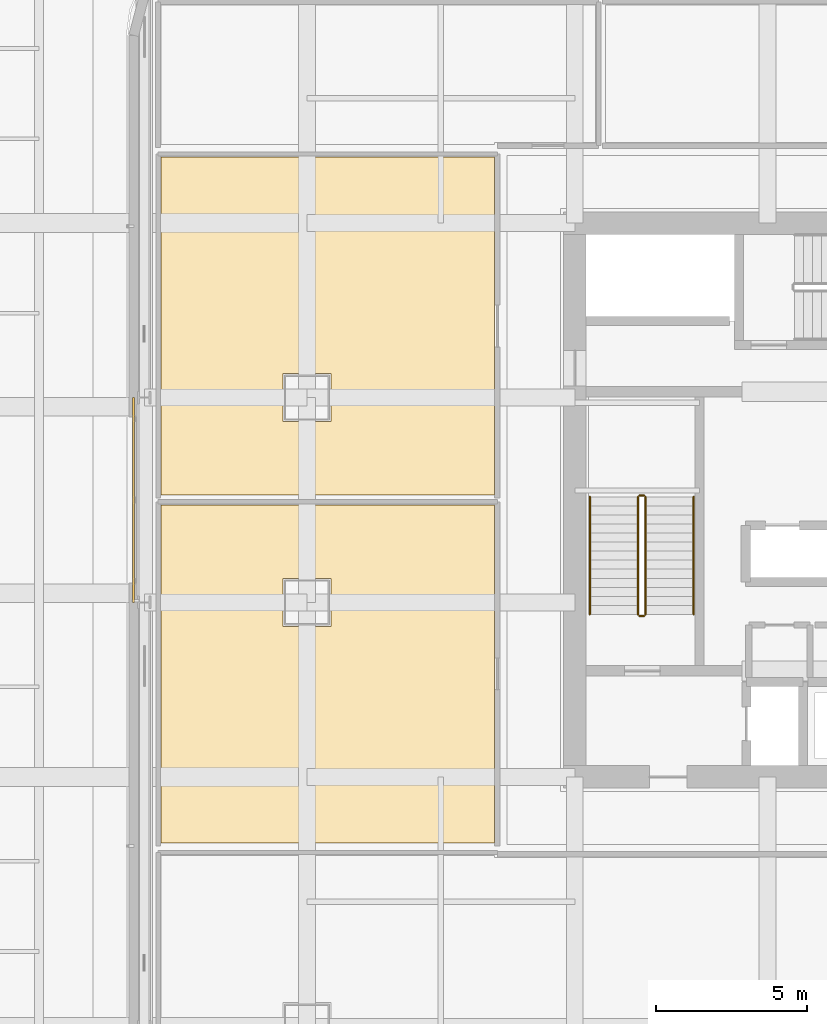
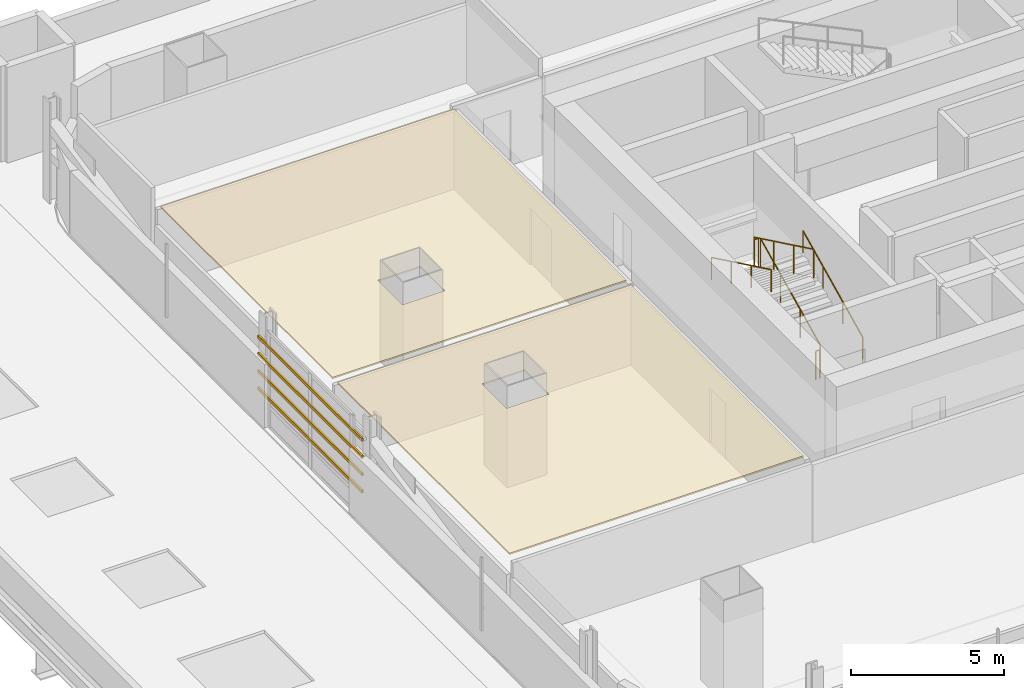
# One storey, part 21 of 30: 6 railings, 4 shading devices, 2 coverings.
"""IFC4 building model written with IfcOpenShell, lengths in metres."""

from ifc_helpers import new_model, si_unit, direction, frame, origin, origin_2d, place, context, subcontext, project, spatial, polyline, hollow_rectangle, circle, outline, extrude, material, layer, layer_set, material_profile, profile_set, type_object, element, save


model = new_model("IFC4")

# Units and contexts
model_context = context("Model", 3, precision=1e-05, world=origin(), true_north=direction((0.0, 1.0)))
body_context = subcontext(model_context, "Body", "Model", "MODEL_VIEW")
ifc_project = project(units=[si_unit("LENGTHUNIT", "METRE"), si_unit("AREAUNIT", "SQUARE_METRE"), si_unit("VOLUMEUNIT", "CUBIC_METRE"), si_unit("PLANEANGLEUNIT", "RADIAN"), si_unit("MASSUNIT", "GRAM", prefix="KILO")], contexts=[model_context])

# Site, building, storey
site_placement = place(None, origin())
site = spatial("IfcSite", under=ifc_project, at=site_placement, CompositionType="ELEMENT")
building_placement = place(site_placement, origin())
building = spatial("IfcBuilding", under=site, at=building_placement, Name="Punatoya Terracotta Tower", CompositionType="ELEMENT")
storey_placement = place(building_placement, frame((0.0, 0.0, 28.199951171875)))
storey = spatial("IfcBuildingStorey", under=building, at=storey_placement, Name="L05", CompositionType="ELEMENT", Elevation=28.199951171875)

# Coverings
ifc_material_1 = material(Name="Acoustic Mineral Fibre Ceiling")
ifc_layer = layer(ifc_material_1, 0.06005859375)
ifc_layer_set = layer_set([ifc_layer], Name="Acoustic Mineral Fibre Ceiling")
covering_type = type_object("IfcCoveringType", Name="COV-CEIL-60", PredefinedType="CEILING", material=ifc_layer_set)
covering_1_placement = place(storey_placement, frame((0.0, 0.0, 3.16015625)))
element("IfcCovering", 1, at=covering_1_placement, inside=storey, type_object=covering_type, Name="L05 Open-Plan Project Design Office Acoustic Ceiling", PredefinedType="CEILING", context=body_context, shape_type="SweptSolid", body=[
    extrude(outline(polyline([(-23.93994140625, -0.159912109375), (-23.93994140625, -11.389892578125), (-12.8701171875, -11.389892578125), (-12.8701171875, -0.159912109375), (-23.93994140625, -0.159912109375)]), holes=[polyline([(-18.300048828125, -4.199951171875), (-19.89990234375, -4.199951171875), (-19.89990234375, -2.60009765625), (-18.300048828125, -2.60009765625), (-18.300048828125, -4.199951171875)])]), origin(), (0.0, 0.0, 1.0), 0.059814453125),
])
covering_2_placement = place(storey_placement, frame((0.0, 0.0, 3.16015625)))
element("IfcCovering", 2, at=covering_2_placement, inside=storey, type_object=covering_type, Name="L05 Open-Plan Client Strategy Boardroom Acoustic Ceiling", PredefinedType="CEILING", context=body_context, shape_type="SweptSolid", body=[
    extrude(outline(polyline([(-23.93994140625, 11.389892578125), (-23.93994140625, 0.159912109375), (-12.8701171875, 0.159912109375), (-12.8701171875, 11.389892578125), (-23.93994140625, 11.389892578125)]), holes=[polyline([(-18.300048828125, 4.199951171875), (-18.300048828125, 2.60009765625), (-19.89990234375, 2.60009765625), (-19.89990234375, 4.199951171875), (-18.300048828125, 4.199951171875)])]), origin(), (0.0, 0.0, 1.0), 0.059814453125),
])

# Railings
ifc_material_2 = material(Name="Steel S355", Category="steel")
railing_type_1 = type_object("IfcRailingType", Name="RLG-GRD-1150", PredefinedType="GUARDRAIL", material=ifc_material_2)
railing_1_placement = place(storey_placement, frame((-7.85009765625, -3.800048828125, 0.144775390625)))
element("IfcRailing", 3, at=railing_1_placement, inside=storey, type_object=railing_type_1, Name="L05 ST-1 stair guard 1", PredefinedType="GUARDRAIL", context=body_context, shape_type="SweptSolid", body=[
    extrude(circle(Radius=0.02392578125, at=origin_2d()), frame((0.0, 0.0, 1.1259765625), z_axis=(0.0, 0.900773802044, 0.434288564841), x_axis=(-1.0, 0.0, 0.0)), (0.0, 0.0, 1.0), 4.329833984375),
    extrude(circle(Radius=0.02099609375, at=origin_2d()), origin(), (0.0, 0.0, 1.0), 1.101806640625),
    extrude(circle(Radius=0.02099609375, at=origin_2d()), frame((0.0, 1.300048828125, 0.626708984375)), (0.0, 0.0, 1.0), 1.101806640625),
    extrude(circle(Radius=0.02099609375, at=origin_2d()), frame((0.0, 2.60009765625, 1.253662109375)), (0.0, 0.0, 1.0), 1.101806640625),
    extrude(circle(Radius=0.02099609375, at=origin_2d()), frame((0.0, 3.900146484375, 1.88037109375)), (0.0, 0.0, 1.0), 1.101806640625),
])
railing_2_placement = place(storey_placement, frame((-7.89990234375, 0.14990234375, 2.025146484375)))
element("IfcRailing", 4, at=railing_2_placement, inside=storey, type_object=railing_type_1, Name="L05 ST-1 stair guard 2", PredefinedType="GUARDRAIL", context=body_context, shape_type="SweptSolid", body=[
    extrude(circle(Radius=0.02392578125, at=origin_2d()), frame((0.0, 0.0, 1.1259765625), z_axis=(-1.0, 0.0, 0.0), x_axis=(0.0, -1.0, 0.0)), (0.0, 0.0, 1.0), 0.150146484375),
    extrude(circle(Radius=0.02099609375, at=origin_2d()), origin(), (0.0, 0.0, 1.0), 1.101806640625),
    extrude(circle(Radius=0.02099609375, at=origin_2d()), frame((-0.150146484375, 0.0, 0.0)), (0.0, 0.0, 1.0), 1.101806640625),
])
railing_3_placement = place(storey_placement, frame((-8.10009765625, 0.10009765625, 2.169677734375)))
element("IfcRailing", 5, at=railing_3_placement, inside=storey, type_object=railing_type_1, Name="L05 ST-1 stair guard 3", PredefinedType="GUARDRAIL", context=body_context, shape_type="SweptSolid", body=[
    extrude(circle(Radius=0.02392578125, at=origin_2d()), frame((0.0, 0.0, 1.1259765625), z_axis=(0.0, -0.900773802044, 0.434288564841), x_axis=(1.0, 0.0, 0.0)), (0.0, 0.0, 1.0), 4.329833984375),
    extrude(circle(Radius=0.02099609375, at=origin_2d()), origin(), (0.0, 0.0, 1.0), 1.101806640625),
    extrude(circle(Radius=0.02099609375, at=origin_2d()), frame((0.0, -1.300048828125, 0.626708984375)), (0.0, 0.0, 1.0), 1.101806640625),
    extrude(circle(Radius=0.02099609375, at=origin_2d()), frame((0.0, -2.60009765625, 1.253662109375)), (0.0, 0.0, 1.0), 1.101806640625),
    extrude(circle(Radius=0.02099609375, at=origin_2d()), frame((0.0, -3.900146484375, 1.88037109375)), (0.0, 0.0, 1.0), 1.101806640625),
])
railing_4_placement = place(storey_placement, frame((-7.89990234375, -3.85009765625, 0.0)))
element("IfcRailing", 6, at=railing_4_placement, inside=storey, type_object=railing_type_1, Name="L05 ST-1 stair guard 4", PredefinedType="GUARDRAIL", context=body_context, shape_type="SweptSolid", body=[
    extrude(circle(Radius=0.02392578125, at=origin_2d()), frame((0.0, 0.0, 1.1259765625), z_axis=(-1.0, 0.0, 0.0), x_axis=(0.0, -1.0, 0.0)), (0.0, 0.0, 1.0), 0.150146484375),
    extrude(circle(Radius=0.02099609375, at=origin_2d()), origin(), (0.0, 0.0, 1.0), 1.101806640625),
    extrude(circle(Radius=0.02099609375, at=origin_2d()), frame((-0.150146484375, 0.0, 0.0)), (0.0, 0.0, 1.0), 1.101806640625),
])
railing_type_2 = type_object("IfcRailingType", Name="RLG-HND-900", PredefinedType="HANDRAIL", material=ifc_material_2)
railing_5_placement = place(storey_placement, frame((-6.25, -3.800048828125, 0.144775390625)))
element("IfcRailing", 7, at=railing_5_placement, inside=storey, type_object=railing_type_2, Name="L05 ST-1 stair handrail 1", PredefinedType="HANDRAIL", context=body_context, shape_type="SweptSolid", body=[
    extrude(circle(Radius=0.02392578125, at=origin_2d()), frame((0.0, 0.0, 0.8759765625), z_axis=(0.0, 0.900773802044, 0.434288564841), x_axis=(-1.0, 0.0, 0.0)), (0.0, 0.0, 1.0), 4.329833984375),
    extrude(circle(Radius=0.02099609375, at=origin_2d()), origin(), (0.0, 0.0, 1.0), 0.851806640625),
    extrude(circle(Radius=0.02099609375, at=origin_2d()), frame((0.0, 1.300048828125, 0.626708984375)), (0.0, 0.0, 1.0), 0.851806640625),
    extrude(circle(Radius=0.02099609375, at=origin_2d()), frame((0.0, 2.60009765625, 1.253662109375)), (0.0, 0.0, 1.0), 0.851806640625),
    extrude(circle(Radius=0.02099609375, at=origin_2d()), frame((0.0, 3.900146484375, 1.88037109375)), (0.0, 0.0, 1.0), 0.851806640625),
])
railing_6_placement = place(storey_placement, frame((-9.699951171875, 0.10009765625, 2.169677734375)))
element("IfcRailing", 8, at=railing_6_placement, inside=storey, type_object=railing_type_2, Name="L05 ST-1 stair handrail 2", PredefinedType="HANDRAIL", context=body_context, shape_type="SweptSolid", body=[
    extrude(circle(Radius=0.02392578125, at=origin_2d()), frame((0.0, 0.0, 0.8759765625), z_axis=(0.0, -0.900773802044, 0.434288564841), x_axis=(1.0, 0.0, 0.0)), (0.0, 0.0, 1.0), 4.329833984375),
    extrude(circle(Radius=0.02099609375, at=origin_2d()), origin(), (0.0, 0.0, 1.0), 0.851806640625),
    extrude(circle(Radius=0.02099609375, at=origin_2d()), frame((0.0, -1.300048828125, 0.626708984375)), (0.0, 0.0, 1.0), 0.851806640625),
    extrude(circle(Radius=0.02099609375, at=origin_2d()), frame((0.0, -2.60009765625, 1.253662109375)), (0.0, 0.0, 1.0), 0.851806640625),
    extrude(circle(Radius=0.02099609375, at=origin_2d()), frame((0.0, -3.900146484375, 1.88037109375)), (0.0, 0.0, 1.0), 0.851806640625),
])

# Shading devices
ifc_material_3 = material(Name="Architectural Fired Terracotta", Category="masonry")
ifc_material_profile = material_profile(ifc_material_3, hollow_rectangle(XDim=0.06494140625, YDim=0.1201171875, WallThickness=0.014892578125, at=origin_2d()))
ifc_profile_set = profile_set([ifc_material_profile], Name="Architectural Fired Terracotta")
shading_device_type = type_object("IfcShadingDeviceType", Name="SHD-BAG-120", PredefinedType="USERDEFINED", material=ifc_profile_set)
for number, where, z_axis, x_axis, name in (
    (9, (-24.863037109375, -3.39990234375, 1.150146484375), (0.0, 1.0, 0.0), (-1.0, 0.0, 0.0), "L05 Fired Terracotta Baguette Louvre BAG-L05-W-01"),
    (10, (-24.863037109375, -3.39990234375, 1.836669921875), (0.0, 1.0, 0.0), (-1.0, 0.0, 0.0), "L05 Fired Terracotta Baguette Louvre BAG-L05-W-02"),
    (11, (-24.863037109375, -3.39990234375, 2.5234375), (0.0, 1.0, 0.0), (-1.0, 0.0, 0.0), "L05 Fired Terracotta Baguette Louvre BAG-L05-W-03"),
    (12, (-24.863037109375, -3.39990234375, 3.2099609375), (0.0, 1.0, 0.0), (-1.0, 0.0, 0.0), "L05 Fired Terracotta Baguette Louvre BAG-L05-W-04"),
):
    element("IfcShadingDevice", number, at=place(storey_placement, frame(where, z_axis=z_axis, x_axis=x_axis)), inside=storey, type_object=shading_device_type, Name=name, ObjectType="BAGUETTE", PredefinedType="USERDEFINED", context=body_context, shape_type="SweptSolid", body=[
        extrude(hollow_rectangle(XDim=0.06494140625, YDim=0.1201171875, WallThickness=0.014892578125, at=origin_2d()), origin(), (0.0, 0.0, 1.0), 6.7998046875),
    ])

save(model, "model.ifc")
